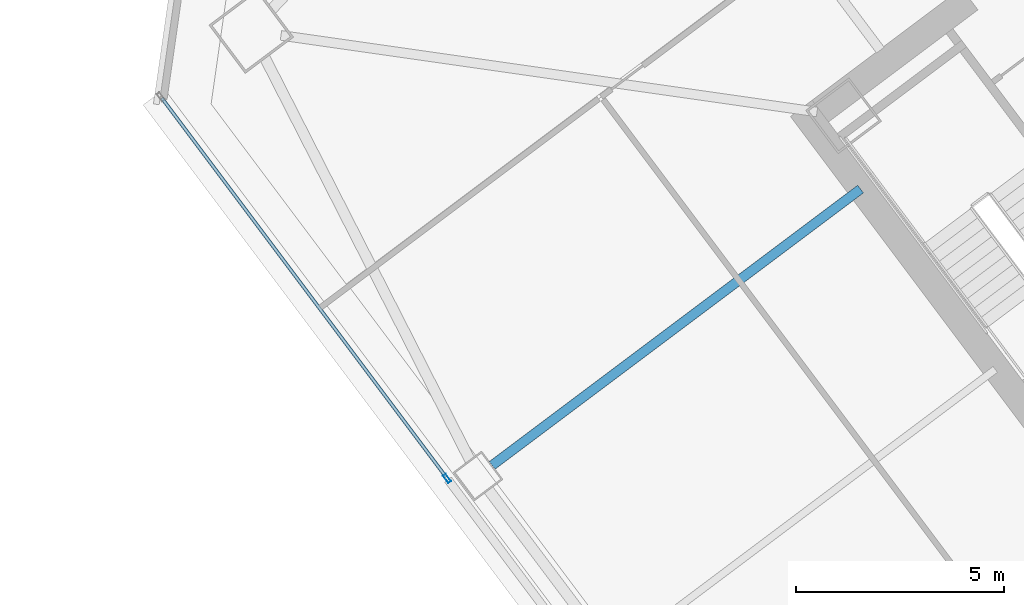
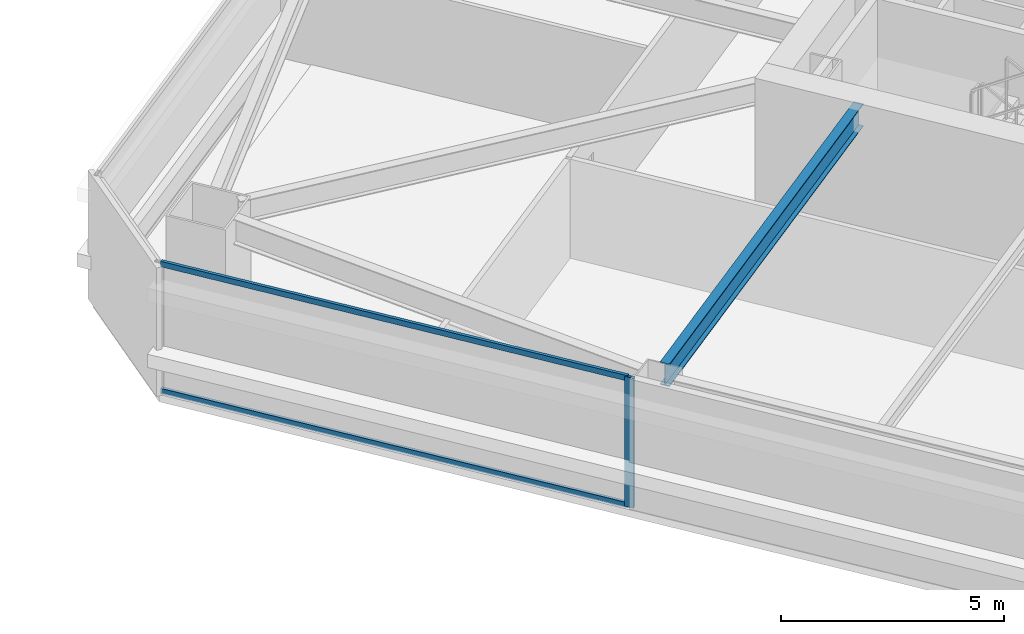
# One storey, part 20 of 44: 3 members, 1 beam, 1 element without a shape of its own.
"""IFC4 building model written with IfcOpenShell, lengths in metres."""

from ifc_helpers import new_model, si_unit, direction, frame, origin, origin_2d, place, context, subcontext, project, spatial, hollow_rectangle, i_section, extrude, material, material_profile, profile_set, type_object, element, aggregate, save


model = new_model("IFC4")

# Units and contexts
model_context = context("Model", 3, precision=1e-05, world=origin(), true_north=direction((0.0, 1.0)))
body_context = subcontext(model_context, "Body", "Model", "MODEL_VIEW")
ifc_project = project(units=[si_unit("LENGTHUNIT", "METRE"), si_unit("AREAUNIT", "SQUARE_METRE"), si_unit("VOLUMEUNIT", "CUBIC_METRE"), si_unit("PLANEANGLEUNIT", "RADIAN"), si_unit("MASSUNIT", "GRAM", prefix="KILO")], contexts=[model_context])

# Site, building, storey
site_placement = place(None, origin())
site = spatial("IfcSite", under=ifc_project, at=site_placement, CompositionType="ELEMENT")
building_placement = place(site_placement, origin())
building = spatial("IfcBuilding", under=site, at=building_placement, Name="Tashvorn Skyway Center", CompositionType="ELEMENT")
storey_placement = place(building_placement, frame((0.0, 0.0, 102.699951171875)))
storey = spatial("IfcBuildingStorey", under=building, at=storey_placement, Name="L27", CompositionType="ELEMENT", Elevation=102.699951171875)

# Beam
ifc_material_1 = material(Name="Steel ASTM A992 Grade 50", Category="steel")
ifc_material_profile_1 = material_profile(ifc_material_1, i_section(OverallWidth=0.22998046875, OverallDepth=0.616943359375, WebThickness=0.01318359375, FlangeThickness=0.022216796875, at=origin_2d()), Name="W24X94")
ifc_profile_set_1 = profile_set([ifc_material_profile_1], Name="Steel ASTM A992 Grade 50")
beam_type = type_object("IfcBeamType", Name="BM-BEAM-W24X94", PredefinedType="BEAM", material=ifc_profile_set_1)
beam_placement = place(storey_placement, frame((95.696044921875, 25.02197265625, 3.04150390625), z_axis=(0.799989394625, 0.60001414024, 0.0), x_axis=(-0.60001414024, 0.799989394625, 0.0)))
element("IfcBeam", 1, at=beam_placement, inside=storey, type_object=beam_type, Name="Tower 2 L27 Primary Floor Girder FC-W1", PredefinedType="BEAM", context=body_context, shape_type="SweptSolid", body=[
    extrude(i_section(OverallWidth=0.22998046875, OverallDepth=0.616943359375, WebThickness=0.01318359375, FlangeThickness=0.022216796875, at=origin_2d()), origin(), (0.0, 0.0, 1.0), 11.050048828125),
])

# Curtain wall, members
ifc_material_2 = material(Name="Thermally broken bronze-anodized aluminium 6063-T6", Category="aluminium")
curtain_wall_type = type_object("IfcCurtainWallType", Name="CW-CW-Z2", PredefinedType="NOTDEFINED", material=ifc_material_2)
curtain_wall_placement = place(storey_placement, origin())
curtain_wall = element("IfcCurtainWall", 2, at=curtain_wall_placement, inside=storey, type_object=curtain_wall_type, Name="Tower 2 L27 West Unitised Curtain Wall Glazing Group 2", PredefinedType="NOTDEFINED")
ifc_material_profile_2 = material_profile(ifc_material_2, hollow_rectangle(XDim=0.080078125, YDim=0.219970703125, WallThickness=0.0048828125, at=origin_2d()), Name="ALU-MULL-80x220")
ifc_profile_set_2 = profile_set([ifc_material_profile_2], Name="Thermally broken bronze-anodized aluminium 6063-T6")
member_type_1 = type_object("IfcMemberType", Name="CWM-CW-Z2", PredefinedType="MULLION", material=ifc_profile_set_2)
member_1_placement = place(storey_placement, frame((94.615966796875, 24.7119140625, 0.0), z_axis=(0.0, 0.0, 1.0), x_axis=(-0.799999999998, -0.600000000002, 0.0)))
member_1 = element("IfcMember", 3, at=member_1_placement, type_object=member_type_1, Name="CW-Z2 mullion 1", PredefinedType="MULLION", context=body_context, shape_type="SweptSolid", body=[
    extrude(hollow_rectangle(XDim=0.080078125, YDim=0.219970703125, WallThickness=0.0048828125, at=origin_2d()), origin(), (0.0, 0.0, 1.0), 3.550048828125),
])
ifc_material_profile_3 = material_profile(ifc_material_2, hollow_rectangle(XDim=0.080078125, YDim=0.14990234375, WallThickness=0.00439453125, at=origin_2d()), Name="ALU-TRAN-80x150")
ifc_profile_set_3 = profile_set([ifc_material_profile_3], Name="Thermally broken bronze-anodized aluminium 6063-T6")
member_type_2 = type_object("IfcMemberType", Name="CWT-CW-Z2", PredefinedType="USERDEFINED", material=ifc_profile_set_3)
member_2_placement = place(storey_placement, frame((94.592041015625, 24.743896484375, 0.0400390625), z_axis=(-0.600003438533, 0.799997421089, 0.0), x_axis=(-0.799997421089, -0.600003438533, 0.0)))
member_2 = element("IfcMember", 4, at=member_2_placement, type_object=member_type_2, Name="CW-Z2 transom 1.1", ObjectType="TRANSOM", PredefinedType="USERDEFINED", context=body_context, shape_type="SweptSolid", body=[
    extrude(hollow_rectangle(XDim=0.080078125, YDim=0.14990234375, WallThickness=0.00439453125, at=origin_2d()), origin(), (0.0, 0.0, 1.0), 11.360107421875),
])
member_3_placement = place(storey_placement, frame((94.592041015625, 24.743896484375, 3.510009765625), z_axis=(-0.600003438533, 0.799997421089, 0.0), x_axis=(-0.799997421089, -0.600003438533, 0.0)))
member_3 = element("IfcMember", 5, at=member_3_placement, type_object=member_type_2, Name="CW-Z2 transom 1.2", ObjectType="TRANSOM", PredefinedType="USERDEFINED", context=body_context, shape_type="SweptSolid", body=[
    extrude(hollow_rectangle(XDim=0.080078125, YDim=0.14990234375, WallThickness=0.00439453125, at=origin_2d()), origin(), (0.0, 0.0, 1.0), 11.360107421875),
])
aggregate(curtain_wall, [member_1, member_2, member_3])

save(model, "model.ifc")
